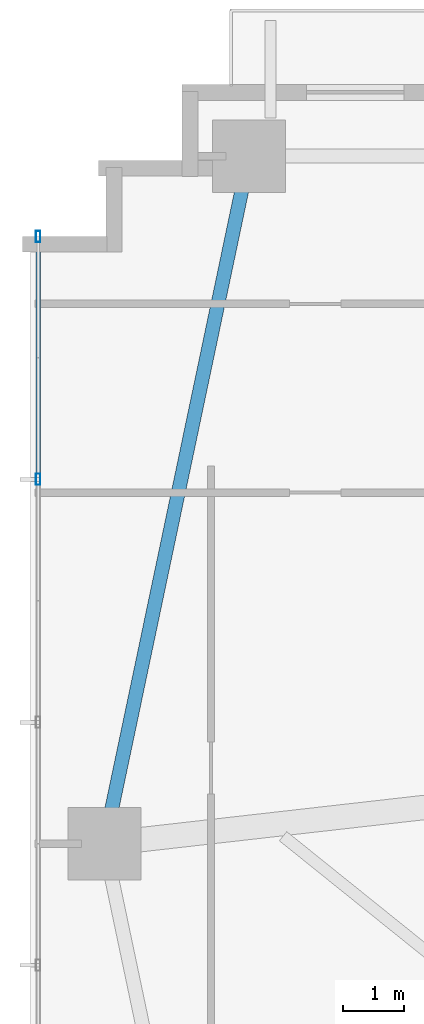
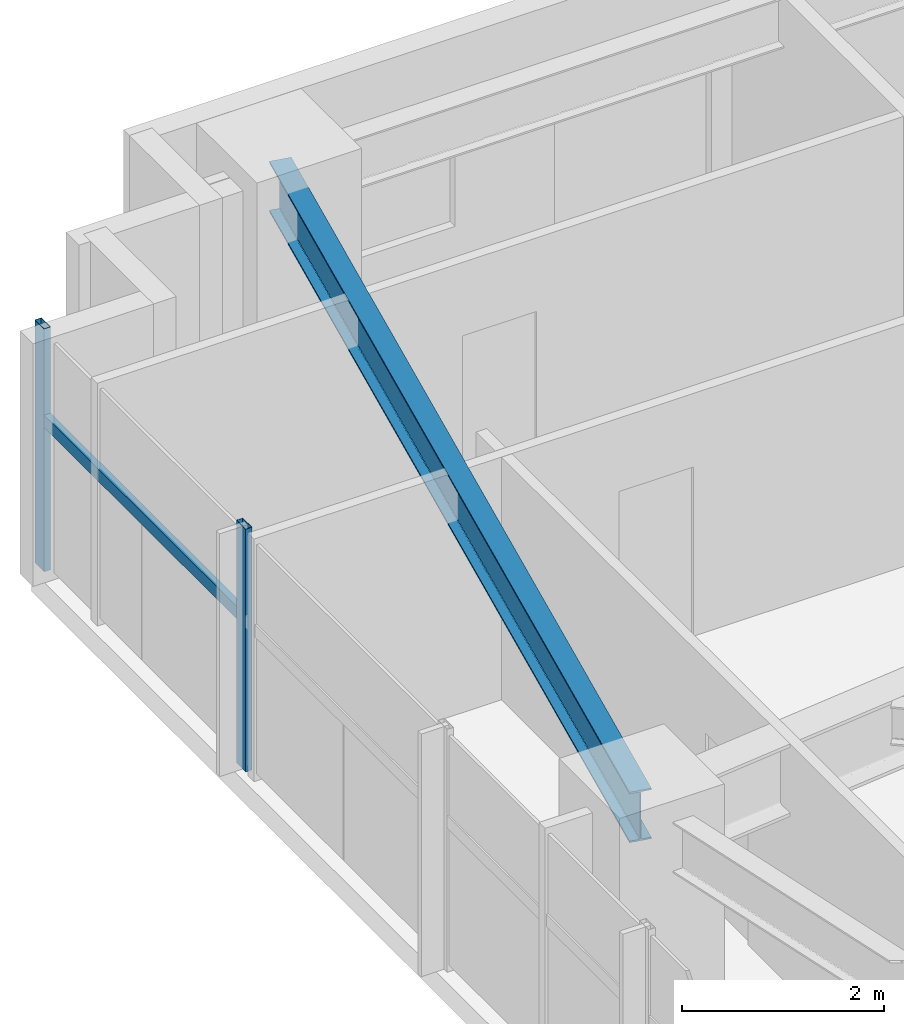
# One storey, part 8 of 25: 3 members, 1 beam, 1 element without a shape of its own.
"""IFC4 building model written with IfcOpenShell, lengths in metres."""

from ifc_helpers import new_model, si_unit, direction, frame, origin, origin_2d, place, context, subcontext, project, spatial, hollow_rectangle, i_section, extrude, source, transform, mapped, material, material_profile, profile_set, type_object, type_shapes, element, aggregate, save


model = new_model("IFC4")

# Units and contexts
model_context = context("Model", 3, precision=1e-05, world=origin(), true_north=direction((0.0, 1.0)))
body_context = subcontext(model_context, "Body", "Model", "MODEL_VIEW")
ifc_project = project(units=[si_unit("LENGTHUNIT", "METRE"), si_unit("AREAUNIT", "SQUARE_METRE"), si_unit("VOLUMEUNIT", "CUBIC_METRE"), si_unit("PLANEANGLEUNIT", "RADIAN"), si_unit("MASSUNIT", "GRAM", prefix="KILO")], contexts=[model_context])

# Site, building, storey
site_placement = place(None, origin())
site = spatial("IfcSite", under=ifc_project, at=site_placement, CompositionType="ELEMENT")
building_placement = place(site_placement, origin())
building = spatial("IfcBuilding", under=site, at=building_placement, Name="Astriad Promenade Condominiums", CompositionType="ELEMENT")
storey_placement = place(building_placement, frame((0.0, 0.0, 29.39990234375)))
storey = spatial("IfcBuildingStorey", under=building, at=storey_placement, Name="L07", CompositionType="ELEMENT", Elevation=29.39990234375)

# Beam
ifc_material_1 = material(Name="Steel ASTM A992 Grade 50", Category="steel")
ifc_material_profile_1 = material_profile(ifc_material_1, i_section(OverallWidth=0.22900390625, OverallDepth=0.612060546875, WebThickness=0.011962890625, FlangeThickness=0.01953125, FilletRadius=0.017822265625, at=origin_2d()), Name="W24X84")
ifc_profile_set_1 = profile_set([ifc_material_profile_1], Name="Steel ASTM A992 Grade 50")
beam_type = type_object("IfcBeamType", Name="STEEL SPANDREL BEAM W24X84", PredefinedType="SPANDREL", material=ifc_profile_set_1)
shared_shape_1 = source(origin(), body_context, "Body", "SweptSolid", [
    extrude(i_section(OverallWidth=0.22900390625, OverallDepth=0.612060546875, WebThickness=0.011962890625, FlangeThickness=0.01953125, FilletRadius=0.017822265625, at=origin_2d()), origin(), (0.0, 0.0, 1.0), 11.48779296875),
])
type_shapes(beam_type, [shared_shape_1])
beam_placement = place(storey_placement, frame((9.391845703125, 26.48095703125, 2.634033203125), z_axis=(-0.205743776427, -0.978605895374, 0.0), x_axis=(0.978605895374, -0.205743776427, 0.0)))
element("IfcBeam", 1, at=beam_placement, inside=storey, type_object=beam_type, Name="Perimeter Spandrel Beam SP-W2-L07", PredefinedType="SPANDREL", context=body_context, shape_type="MappedRepresentation", body=[
    mapped(shared_shape_1, transform((0.0, 0.0, 0.0), scale=1.0)),
])

# Curtain wall, members
ifc_material_2 = material(Name="Anodised aluminium Black Dark Glass Unitised", Category="aluminium")
curtain_wall_type = type_object("IfcCurtainWallType", Name="CW-B1-DARK", PredefinedType="USERDEFINED", material=ifc_material_2)
curtain_wall_placement = place(storey_placement, origin())
curtain_wall = element("IfcCurtainWall", 2, at=curtain_wall_placement, inside=storey, type_object=curtain_wall_type, Name="CW-L07-W", ObjectType="UNITISED_CURTAIN_WALL", PredefinedType="USERDEFINED")
ifc_material_3 = material(Name="Anodised aluminium 6063-T6 Black", Category="aluminium")
ifc_material_profile_2 = material_profile(ifc_material_3, hollow_rectangle(XDim=0.074951171875, YDim=0.14990234375, WallThickness=0.004150390625, at=origin_2d()), Name="ALU-TRN-75X150")
ifc_profile_set_2 = profile_set([ifc_material_profile_2], Name="Anodised aluminium 6063-T6 Black")
member_type_1 = type_object("IfcMemberType", Name="TRN-ALU-TRN-75X150", PredefinedType="USERDEFINED", material=ifc_profile_set_2)
shared_shape_2 = source(origin(), body_context, "Body", "SweptSolid", [
    extrude(hollow_rectangle(XDim=0.074951171875, YDim=0.14990234375, WallThickness=0.004150390625, at=origin_2d()), origin(), (0.0, 0.0, 1.0), 4.0),
])
type_shapes(member_type_1, [shared_shape_2])
member_1_placement = place(storey_placement, frame((5.929931640625, 21.199951171875, 1.822998046875), z_axis=(0.0, 1.0, 0.0), x_axis=(-1.0, 0.0, 0.0)))
member_1 = element("IfcMember", 3, at=member_1_placement, type_object=member_type_1, Name="CW-L07-W-TRN-04-0", ObjectType="TRANSOM", PredefinedType="USERDEFINED", context=body_context, shape_type="MappedRepresentation", body=[
    mapped(shared_shape_2, transform((0.0, 0.0, 0.0), scale=1.0)),
])
ifc_material_profile_3 = material_profile(ifc_material_3, hollow_rectangle(XDim=0.074951171875, YDim=0.18505859375, WallThickness=0.00439453125, at=origin_2d()), Name="ALU-MUL-75X185")
ifc_profile_set_3 = profile_set([ifc_material_profile_3], Name="Anodised aluminium 6063-T6 Black")
member_type_2 = type_object("IfcMemberType", Name="MUL-ALU-MUL-75X185", PredefinedType="MULLION", material=ifc_profile_set_3)
shared_shape_3 = source(origin(), body_context, "Body", "SweptSolid", [
    extrude(hollow_rectangle(XDim=0.074951171875, YDim=0.18505859375, WallThickness=0.00439453125, at=origin_2d()), origin(), (0.0, 0.0, 1.0), 2.940185546875),
])
type_shapes(member_type_2, [shared_shape_3])
member_2_placement = place(storey_placement, frame((5.929931640625, 21.199951171875, 0.0), z_axis=(0.0, 0.0, 1.0), x_axis=(1.0, 0.0, 0.0)))
member_2 = element("IfcMember", 4, at=member_2_placement, type_object=member_type_2, Name="CW-L07-W-MUL-04", PredefinedType="MULLION", context=body_context, shape_type="MappedRepresentation", body=[
    mapped(shared_shape_3, transform((0.0, 0.0, 0.0), scale=1.0)),
])
member_3_placement = place(storey_placement, frame((5.929931640625, 25.199951171875, 0.0), z_axis=(0.0, 0.0, 1.0), x_axis=(1.0, 0.0, 0.0)))
member_3 = element("IfcMember", 5, at=member_3_placement, type_object=member_type_2, Name="CW-L07-W-MUL-05", PredefinedType="MULLION", context=body_context, shape_type="MappedRepresentation", body=[
    mapped(shared_shape_3, transform((0.0, 0.0, 0.0), scale=1.0)),
])
aggregate(curtain_wall, [member_2, member_3, member_1])

save(model, "model.ifc")
